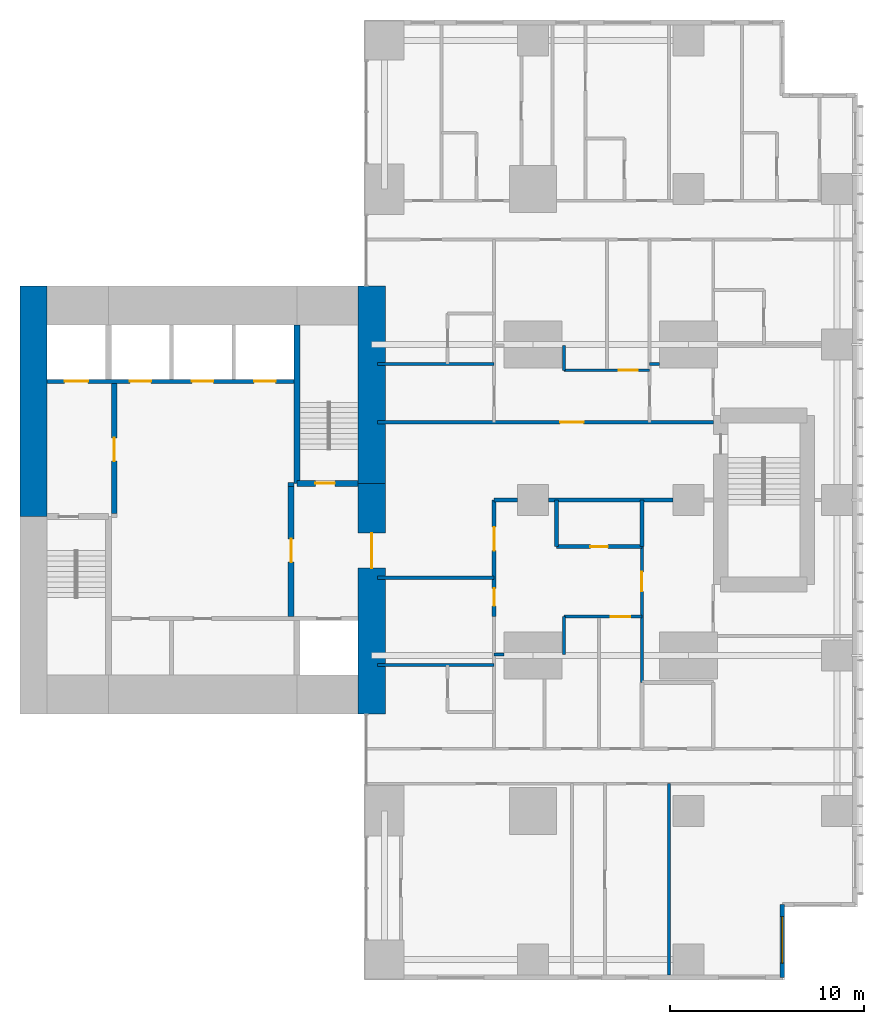
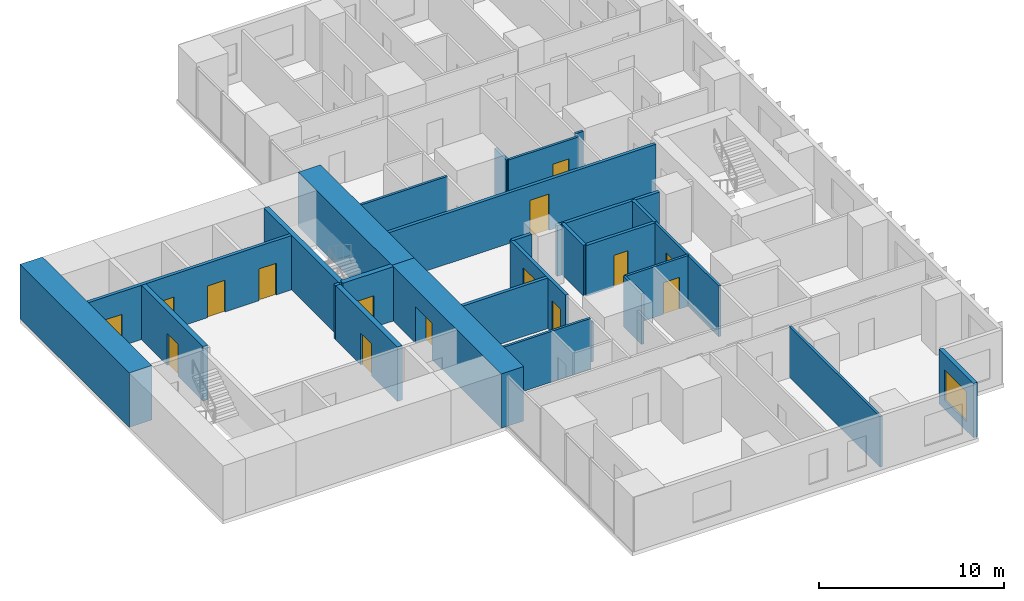
# One storey, part 8 of 12: 28 walls, 15 doors, 1 window, 16 openings.
"""IFC4 building model written with IfcOpenShell, lengths in metres."""

from ifc_helpers import new_model, si_unit, direction, frame, frame_2d, origin, place, context, subcontext, project, spatial, rectangle, extrude, material, layer, layer_set, type_object, element, fill, save


model = new_model("IFC4")

# Units and contexts
model_context = context("Model", 3, precision=1e-05, world=origin(), true_north=direction((0.0, 1.0)))
body_context = subcontext(model_context, "Body", "Model", "MODEL_VIEW")
ifc_project = project(units=[si_unit("LENGTHUNIT", "METRE"), si_unit("AREAUNIT", "SQUARE_METRE"), si_unit("VOLUMEUNIT", "CUBIC_METRE"), si_unit("PLANEANGLEUNIT", "RADIAN"), si_unit("MASSUNIT", "GRAM", prefix="KILO")], contexts=[model_context])

# Site, building, storey
site_placement = place(None, origin())
site = spatial("IfcSite", under=ifc_project, at=site_placement, CompositionType="ELEMENT")
building_placement = place(site_placement, origin())
building = spatial("IfcBuilding", under=site, at=building_placement, Name="Cleftline Residences", CompositionType="ELEMENT")
storey_placement = place(building_placement, frame((0.0, 0.0, 259.199951171875)))
storey = spatial("IfcBuildingStorey", under=building, at=storey_placement, Name="L68", CompositionType="ELEMENT", Elevation=259.199951171875)

# Wall
ifc_material_1 = material(Name="Concrete B70", Category="concrete")
ifc_layer_1 = layer(ifc_material_1, 1.39990234375)
ifc_layer_set_1 = layer_set([ifc_layer_1], Name="CORE WALL 1400")
wall_type_1 = type_object("IfcWallType", Name="CORE WALL 1400", PredefinedType="SHEAR", material=ifc_layer_set_1)
wall_1_placement = place(storey_placement, frame((24.300048828125, 23.14990234375, 0.0), z_axis=(0.0, 0.0, 1.0), x_axis=(0.0, 1.0, 0.0)))
element("IfcWall", 1, at=wall_1_placement, inside=storey, type_object=wall_type_1, Name="Core wall W", PredefinedType="SHEAR", context=body_context, shape_type="SweptSolid", body=[
    extrude(rectangle(XDim=11.85009765625, YDim=1.39990234375, at=frame_2d((5.925048828125, 0.0))), origin(), (0.0, 0.0, 1.0), 3.60009765625),
])

# Wall, opening, door
wall_2_placement = place(storey_placement, frame((41.699951171875, 13.0, 0.0), z_axis=(0.0, 0.0, 1.0), x_axis=(0.0, 1.0, 0.0)))
wall_2 = element("IfcWall", 2, at=wall_2_placement, inside=storey, type_object=wall_type_1, Name="Core wall E", PredefinedType="SHEAR", context=body_context, shape_type="SweptSolid", body=[
    extrude(rectangle(XDim=11.85009765625, YDim=1.39990234375, at=frame_2d((5.925048828125, 0.0))), origin(), (0.0, 0.0, 1.0), 3.60009765625),
])
opening_1_placement = place(wall_2_placement, frame((7.5, 0.0, 0.0)))
opening_1 = element("IfcOpeningElement", 3, at=opening_1_placement, cuts=wall_2, Name="Opening D7", PredefinedType="OPENING", context=body_context, shape_type="SweptSolid", body=[
    extrude(rectangle(XDim=1.800048828125, YDim=2.39990234375, at=frame_2d((0.89990234375, 1.199951171875))), frame((0.0, 0.7099609375, 0.0), z_axis=(0.0, -1.0, 0.0), x_axis=(1.0, 0.0, 0.0)), (0.0, 0.0, 1.0), 1.419921875),
])
ifc_material_2 = material(Name="Steel", Category="steel")
door_type_1 = type_object("IfcDoorType", Name="WING DOOR 1800X2400", OperationType="DOUBLE_DOOR_DOUBLE_SWING", PredefinedType="DOOR", material=ifc_material_2)
door_1_placement = place(opening_1_placement, origin())
door_1 = element("IfcDoor", 4, at=door_1_placement, inside=storey, type_object=door_type_1, Name="East wing door", OperationType="DOUBLE_DOOR_DOUBLE_SWING", OverallHeight=2.39990234375, OverallWidth=1.800048828125, PredefinedType="DOOR", context=body_context, shape_type="SweptSolid", body=[
    extrude(rectangle(XDim=1.800048828125, YDim=2.39990234375, at=frame_2d((0.89990234375, 1.199951171875))), frame((0.0, 0.02490234375, 0.0), z_axis=(0.0, -1.0, 0.0), x_axis=(1.0, 0.0, 0.0)), (0.0, 0.0, 1.0), 0.050048828125),
])
fill(opening_1, door_1)

# Walls
wall_3_placement = place(storey_placement, frame((41.699951171875, 24.85009765625, 0.0), z_axis=(0.0, 0.0, 1.0), x_axis=(0.0, 1.0, 0.0)))
element("IfcWall", 5, at=wall_3_placement, inside=storey, type_object=wall_type_1, Name="Core wall E1", PredefinedType="SHEAR", context=body_context, shape_type="SweptSolid", body=[
    extrude(rectangle(XDim=10.14990234375, YDim=1.39990234375, at=frame_2d((5.074951171875, 0.0))), origin(), (0.0, 0.0, 1.0), 3.60009765625),
])
ifc_material_3 = material(Name="Concrete B70", Category="concrete")
ifc_layer_2 = layer(ifc_material_3, 0.300048828125)
ifc_layer_set_2 = layer_set([ifc_layer_2], Name="CORE WALL 300")
wall_type_2 = type_object("IfcWallType", Name="CORE WALL 300", PredefinedType="SHEAR", material=ifc_layer_set_2)
wall_4_placement = place(storey_placement, frame((37.85009765625, 24.85009765625, 0.0), z_axis=(0.0, 0.0, 1.0), x_axis=(0.0, 1.0, 0.0)))
element("IfcWall", 6, at=wall_4_placement, inside=storey, type_object=wall_type_2, Name="Core wall SB-W", PredefinedType="SHEAR", context=body_context, shape_type="SweptSolid", body=[
    extrude(rectangle(XDim=8.14990234375, YDim=0.300048828125, at=frame_2d((4.074951171875, 0.0))), origin(), (0.0, 0.0, 1.0), 3.60009765625),
])

# Wall, opening, door
wall_5_placement = place(storey_placement, frame((37.85009765625, 24.85009765625, 0.0), z_axis=(0.0, 0.0, 1.0), x_axis=(1.0, 0.0, 0.0)))
wall_5 = element("IfcWall", 7, at=wall_5_placement, inside=storey, type_object=wall_type_2, Name="Core wall SB-S", PredefinedType="SHEAR", context=body_context, shape_type="SweptSolid", body=[
    extrude(rectangle(XDim=3.14990234375, YDim=0.300048828125, at=frame_2d((1.574951171875, 0.0))), origin(), (0.0, 0.0, 1.0), 3.60009765625),
])
opening_2_placement = place(wall_5_placement, frame((0.949951171875, 0.0, 0.0)))
opening_2 = element("IfcOpeningElement", 8, at=opening_2_placement, cuts=wall_5, Name="Opening D5", PredefinedType="OPENING", context=body_context, shape_type="SweptSolid", body=[
    extrude(rectangle(XDim=1.0, YDim=2.10009765625, at=frame_2d((0.5, 1.050048828125))), frame((0.0, 0.159912109375, 0.0), z_axis=(0.0, -1.0, 0.0), x_axis=(1.0, 0.0, 0.0)), (0.0, 0.0, 1.0), 0.320068359375),
])
ifc_material_4 = material(Name="Steel", Category="steel")
door_type_2 = type_object("IfcDoorType", Name="STAIR DOOR 1000X2100", OperationType="SINGLE_SWING_LEFT", PredefinedType="DOOR", material=ifc_material_4)
door_2_placement = place(opening_2_placement, origin())
door_2 = element("IfcDoor", 9, at=door_2_placement, inside=storey, type_object=door_type_2, Name="Stair B door", OperationType="SINGLE_SWING_RIGHT", OverallHeight=2.10009765625, OverallWidth=1.0, PredefinedType="DOOR", context=body_context, shape_type="SweptSolid", body=[
    extrude(rectangle(XDim=1.0, YDim=2.10009765625, at=frame_2d((0.5, 1.050048828125))), frame((0.0, 0.02490234375, 0.0), z_axis=(0.0, -1.0, 0.0), x_axis=(1.0, 0.0, 0.0)), (0.0, 0.0, 1.0), 0.050048828125),
])
fill(opening_2, door_2)

# Wall, opening, window
ifc_material_5 = material(Name="Rendered reinforced concrete blockwork", Category="masonry")
ifc_layer_3 = layer(ifc_material_5, 0.25)
ifc_layer_set_3 = layer_set([ifc_layer_3], Name="EXTERNAL WALL 250")
wall_type_3 = type_object("IfcWallType", Name="EXTERNAL WALL 250", PredefinedType="SOLIDWALL", material=ifc_layer_set_3)
wall_6_placement = place(storey_placement, frame((62.824951171875, -0.574951171875, 0.0), z_axis=(0.0, 0.0, 1.0), x_axis=(0.0, 1.0, 0.0)))
wall_6 = element("IfcWall", 10, at=wall_6_placement, inside=storey, type_object=wall_type_3, Name="External wall", PredefinedType="SOLIDWALL", context=body_context, shape_type="SweptSolid", body=[
    extrude(rectangle(XDim=3.75, YDim=0.25, at=frame_2d((1.875, 0.0))), origin(), (0.0, 0.0, 1.0), 3.60009765625),
])
opening_3_placement = place(wall_6_placement, frame((0.737548828125, 0.0, 0.60009765625)))
opening_3 = element("IfcOpeningElement", 11, at=opening_3_placement, cuts=wall_6, Name="Opening W6", PredefinedType="OPENING", context=body_context, shape_type="SweptSolid", body=[
    extrude(rectangle(XDim=2.39990234375, YDim=2.0, at=frame_2d((1.199951171875, 1.0))), frame((0.0, 0.135009765625, 0.0), z_axis=(0.0, -1.0, 0.0), x_axis=(1.0, 0.0, 0.0)), (0.0, 0.0, 1.0), 0.27001953125),
])
ifc_material_6 = material(Name="Aluminium frame, clear double glazing", Category="aluminium")
window_type = type_object("IfcWindowType", Name="WINDOW 2400X2000", PartitioningType="DOUBLE_PANEL_VERTICAL", PredefinedType="WINDOW", material=ifc_material_6)
window_placement = place(opening_3_placement, origin())
window = element("IfcWindow", 12, at=window_placement, inside=storey, type_object=window_type, Name="Window", OverallHeight=2.0, OverallWidth=2.39990234375, PartitioningType="SINGLE_PANEL", PredefinedType="WINDOW", context=body_context, shape_type="SweptSolid", body=[
    extrude(rectangle(XDim=2.39990234375, YDim=2.0, at=frame_2d((1.199951171875, 1.0))), frame((0.0, 0.030029296875, 0.0), z_axis=(0.0, -1.0, 0.0), x_axis=(1.0, 0.0, 0.0)), (0.0, 0.0, 1.0), 0.06005859375),
])
fill(opening_3, window)

# Wall
ifc_material_7 = material(Name="Concrete blockwork, fire rated", Category="masonry")
ifc_layer_4 = layer(ifc_material_7, 0.199951171875)
ifc_layer_set_4 = layer_set([ifc_layer_4], Name="FIRE WALL 200")
wall_type_4 = type_object("IfcWallType", Name="FIRE WALL 200", PredefinedType="PARTITIONING", material=ifc_layer_set_4)
wall_7_placement = place(storey_placement, frame((42.0, 20.0, 0.0), z_axis=(0.0, 0.0, 1.0), x_axis=(1.0, 0.0, 0.0)))
element("IfcWall", 13, at=wall_7_placement, inside=storey, type_object=wall_type_4, Name="Fire separating wall", PredefinedType="PARTITIONING", context=body_context, shape_type="SweptSolid", body=[
    extrude(rectangle(XDim=6.0, YDim=0.199951171875, at=frame_2d((3.0, 0.0))), origin(), (0.0, 0.0, 1.0), 3.35009765625),
])

# Wall, opening, door
wall_8_placement = place(storey_placement, frame((51.199951171875, 21.60009765625, 0.0), z_axis=(0.0, 0.0, 1.0), x_axis=(1.0, 0.0, 0.0)))
wall_8 = element("IfcWall", 14, at=wall_8_placement, inside=storey, type_object=wall_type_4, Name="Fire separating wall", PredefinedType="PARTITIONING", context=body_context, shape_type="SweptSolid", body=[
    extrude(rectangle(XDim=4.400146484375, YDim=0.199951171875, at=frame_2d((2.2001953125, 0.0))), origin(), (0.0, 0.0, 1.0), 3.35009765625),
])
opening_4_placement = place(wall_8_placement, frame((1.75, 0.0, 0.0)))
opening_4 = element("IfcOpeningElement", 15, at=opening_4_placement, cuts=wall_8, Name="Opening D1F30", PredefinedType="OPENING", context=body_context, shape_type="SweptSolid", body=[
    extrude(rectangle(XDim=0.89990234375, YDim=2.10009765625, at=frame_2d((0.449951171875, 1.050048828125))), frame((0.0, 0.10986328125, 0.0), z_axis=(0.0, -1.0, 0.0), x_axis=(1.0, 0.0, 0.0)), (0.0, 0.0, 1.0), 0.219970703125),
])
ifc_material_8 = material(Name="Timber veneer on solid core", Category="wood")
door_type_3 = type_object("IfcDoorType", Name="DOOR 900X2100 EI 30", OperationType="SINGLE_SWING_LEFT", PredefinedType="DOOR", material=ifc_material_8)
door_3_placement = place(opening_4_placement, origin())
door_3 = element("IfcDoor", 16, at=door_3_placement, inside=storey, type_object=door_type_3, Name="Door to cloakroom wc", OperationType="SINGLE_SWING_LEFT", OverallHeight=2.10009765625, OverallWidth=0.89990234375, PredefinedType="DOOR", context=body_context, shape_type="SweptSolid", body=[
    extrude(rectangle(XDim=0.89990234375, YDim=2.10009765625, at=frame_2d((0.449951171875, 1.050048828125))), frame((0.0, 0.02490234375, 0.0), z_axis=(0.0, -1.0, 0.0), x_axis=(1.0, 0.0, 0.0)), (0.0, 0.0, 1.0), 0.050048828125),
])
fill(opening_4, door_3)

# Walls
wall_9_placement = place(storey_placement, frame((48.0, 24.0, 0.0), z_axis=(0.0, 0.0, 1.0), x_axis=(1.0, 0.0, 0.0)))
element("IfcWall", 17, at=wall_9_placement, inside=storey, type_object=wall_type_4, Name="Fire separating wall", PredefinedType="PARTITIONING", context=body_context, shape_type="SweptSolid", body=[
    extrude(rectangle(XDim=1.199951171875, YDim=0.199951171875, at=frame_2d((0.60009765625, 0.0))), origin(), (0.0, 0.0, 1.0), 3.35009765625),
])
wall_10_placement = place(storey_placement, frame((50.800048828125, 24.0, 0.0), z_axis=(0.0, 0.0, 1.0), x_axis=(1.0, 0.0, 0.0)))
element("IfcWall", 18, at=wall_10_placement, inside=storey, type_object=wall_type_4, Name="Fire separating wall", PredefinedType="PARTITIONING", context=body_context, shape_type="SweptSolid", body=[
    extrude(rectangle(XDim=6.39990234375, YDim=0.199951171875, at=frame_2d((3.199951171875, 0.0))), origin(), (0.0, 0.0, 1.0), 3.35009765625),
])

# Wall, opening, door
wall_11_placement = place(storey_placement, frame((42.0, 28.0, 0.0), z_axis=(0.0, 0.0, 1.0), x_axis=(1.0, 0.0, 0.0)))
wall_11 = element("IfcWall", 19, at=wall_11_placement, inside=storey, type_object=wall_type_4, Name="Fire separating wall", PredefinedType="PARTITIONING", context=body_context, shape_type="SweptSolid", body=[
    extrude(rectangle(XDim=17.27490234375, YDim=0.199951171875, at=frame_2d((8.637451171875, 0.0))), origin(), (0.0, 0.0, 1.0), 3.35009765625),
])
opening_5_placement = place(wall_11_placement, frame((9.39990234375, 0.0, 0.0)))
opening_5 = element("IfcOpeningElement", 20, at=opening_5_placement, cuts=wall_11, Name="Opening D4", PredefinedType="OPENING", context=body_context, shape_type="SweptSolid", body=[
    extrude(rectangle(XDim=1.199951171875, YDim=2.39990234375, at=frame_2d((0.60009765625, 1.199951171875))), frame((0.0, 0.10986328125, 0.0), z_axis=(0.0, -1.0, 0.0), x_axis=(1.0, 0.0, 0.0)), (0.0, 0.0, 1.0), 0.219970703125),
])
ifc_material_9 = material(Name="Timber veneer on solid core", Category="wood")
door_type_4 = type_object("IfcDoorType", Name="APARTMENT ENTRANCE DOOR 1200X2400", OperationType="SINGLE_SWING_RIGHT", PredefinedType="DOOR", material=ifc_material_9)
door_4_placement = place(opening_5_placement, origin())
door_4 = element("IfcDoor", 21, at=door_4_placement, inside=storey, type_object=door_type_4, Name="Door to residence entrance (gallery)", OperationType="SINGLE_SWING_LEFT", OverallHeight=2.39990234375, OverallWidth=1.199951171875, PredefinedType="DOOR", context=body_context, shape_type="SweptSolid", body=[
    extrude(rectangle(XDim=1.199951171875, YDim=2.39990234375, at=frame_2d((0.60009765625, 1.199951171875))), frame((0.0, 0.02490234375, 0.0), z_axis=(0.0, -1.0, 0.0), x_axis=(1.0, 0.0, 0.0)), (0.0, 0.0, 1.0), 0.050048828125),
])
fill(opening_5, door_4)

# Wall, openings, doors
wall_12_placement = place(storey_placement, frame((48.0, 18.0, 0.0), z_axis=(0.0, 0.0, 1.0), x_axis=(0.0, 1.0, 0.0)))
wall_12 = element("IfcWall", 22, at=wall_12_placement, inside=storey, type_object=wall_type_4, Name="Fire separating wall", PredefinedType="PARTITIONING", context=body_context, shape_type="SweptSolid", body=[
    extrude(rectangle(XDim=6.0, YDim=0.199951171875, at=frame_2d((3.0, 0.0))), origin(), (0.0, 0.0, 1.0), 3.35009765625),
])
opening_6_placement = place(wall_12_placement, frame((3.39990234375, 0.0, 0.0)))
opening_6 = element("IfcOpeningElement", 23, at=opening_6_placement, cuts=wall_12, Name="Opening D4", PredefinedType="OPENING", context=body_context, shape_type="SweptSolid", body=[
    extrude(rectangle(XDim=1.199951171875, YDim=2.39990234375, at=frame_2d((0.60009765625, 1.199951171875))), frame((0.0, 0.10986328125, 0.0), z_axis=(0.0, -1.0, 0.0), x_axis=(1.0, 0.0, 0.0)), (0.0, 0.0, 1.0), 0.219970703125),
])
opening_7_placement = place(wall_12_placement, frame((0.550048828125, 0.0, 0.0)))
opening_7 = element("IfcOpeningElement", 24, at=opening_7_placement, cuts=wall_12, Name="Opening D1F30", PredefinedType="OPENING", context=body_context, shape_type="SweptSolid", body=[
    extrude(rectangle(XDim=0.89990234375, YDim=2.10009765625, at=frame_2d((0.449951171875, 1.050048828125))), frame((0.0, 0.10986328125, 0.0), z_axis=(0.0, -1.0, 0.0), x_axis=(1.0, 0.0, 0.0)), (0.0, 0.0, 1.0), 0.219970703125),
])
door_5_placement = place(opening_6_placement, origin())
door_5 = element("IfcDoor", 25, at=door_5_placement, inside=storey, type_object=door_type_4, Name="Door to residence entrance foyer", OperationType="SINGLE_SWING_LEFT", OverallHeight=2.39990234375, OverallWidth=1.199951171875, PredefinedType="DOOR", context=body_context, shape_type="SweptSolid", body=[
    extrude(rectangle(XDim=1.199951171875, YDim=2.39990234375, at=frame_2d((0.60009765625, 1.199951171875))), frame((0.0, 0.02490234375, 0.0), z_axis=(0.0, -1.0, 0.0), x_axis=(1.0, 0.0, 0.0)), (0.0, 0.0, 1.0), 0.050048828125),
])
fill(opening_6, door_5)
door_6_placement = place(opening_7_placement, origin())
door_6 = element("IfcDoor", 26, at=door_6_placement, inside=storey, type_object=door_type_3, Name="Door to drying loggia", OperationType="SINGLE_SWING_RIGHT", OverallHeight=2.10009765625, OverallWidth=0.89990234375, PredefinedType="DOOR", context=body_context, shape_type="SweptSolid", body=[
    extrude(rectangle(XDim=0.89990234375, YDim=2.10009765625, at=frame_2d((0.449951171875, 1.050048828125))), frame((0.0, 0.02490234375, 0.0), z_axis=(0.0, -1.0, 0.0), x_axis=(1.0, 0.0, 0.0)), (0.0, 0.0, 1.0), 0.050048828125),
])
fill(opening_7, door_6)

# Walls
for number, where, z_axis, x_axis, name in (
    (27, (51.199951171875, 21.60009765625, 0.0), (0.0, 0.0, 1.0), (0.0, 1.0, 0.0), "Fire separating wall"),
    (28, (55.60009765625, 21.60009765625, 0.0), (0.0, 0.0, 1.0), (0.0, 1.0, 0.0), "Fire separating wall"),
):
    element("IfcWall", number, at=place(storey_placement, frame(where, z_axis=z_axis, x_axis=x_axis)), inside=storey, type_object=wall_type_4, Name=name, PredefinedType="PARTITIONING", context=body_context, shape_type="SweptSolid", body=[
        extrude(rectangle(XDim=2.39990234375, YDim=0.199951171875, at=frame_2d((1.199951171875, 0.0))), origin(), (0.0, 0.0, 1.0), 3.35009765625),
    ])
wall_13_placement = place(storey_placement, frame((37.39990234375, 24.800048828125, 0.0), z_axis=(0.0, 0.0, 1.0), x_axis=(1.0, 0.0, 0.0)))
element("IfcWall", 29, at=wall_13_placement, inside=storey, type_object=wall_type_4, Name="Fire separating wall", PredefinedType="PARTITIONING", context=body_context, shape_type="SweptSolid", body=[
    extrude(rectangle(XDim=0.300048828125, YDim=0.199951171875, at=frame_2d((0.14990234375, 0.0))), origin(), (0.0, 0.0, 1.0), 3.60009765625),
])
ifc_material_10 = material(Name="Gypsum board on steel studs", Category="steel")
ifc_layer_5 = layer(ifc_material_10, 0.14990234375)
ifc_layer_set_5 = layer_set([ifc_layer_5], Name="PARTITION 150")
wall_type_5 = type_object("IfcWallType", Name="PARTITION 150", PredefinedType="PARTITIONING", material=ifc_layer_set_5)
wall_14_placement = place(storey_placement, frame((42.0, 15.5, 0.0), z_axis=(0.0, 0.0, 1.0), x_axis=(1.0, 0.0, 0.0)))
element("IfcWall", 30, at=wall_14_placement, inside=storey, type_object=wall_type_5, Name="Partition", PredefinedType="PARTITIONING", context=body_context, shape_type="SweptSolid", body=[
    extrude(rectangle(XDim=6.0, YDim=0.14990234375, at=frame_2d((3.0, 0.0))), origin(), (0.0, 0.0, 1.0), 3.35009765625),
])
wall_15_placement = place(storey_placement, frame((48.0, 16.050048828125, 0.0), z_axis=(0.0, 0.0, 1.0), x_axis=(1.0, 0.0, 0.0)))
element("IfcWall", 31, at=wall_15_placement, inside=storey, type_object=wall_type_5, Name="Partition", PredefinedType="PARTITIONING", context=body_context, shape_type="SweptSolid", body=[
    extrude(rectangle(XDim=0.5, YDim=0.14990234375, at=frame_2d((0.25, 0.0))), origin(), (0.0, 0.0, 1.0), 2.634033203125),
])

# Wall, opening, door
wall_16_placement = place(storey_placement, frame((51.60009765625, 18.0, 0.0), z_axis=(0.0, 0.0, 1.0), x_axis=(1.0, 0.0, 0.0)))
wall_16 = element("IfcWall", 32, at=wall_16_placement, inside=storey, type_object=wall_type_5, Name="Partition", PredefinedType="PARTITIONING", context=body_context, shape_type="SweptSolid", body=[
    extrude(rectangle(XDim=4.0, YDim=0.14990234375, at=frame_2d((2.0, 0.0))), origin(), (0.0, 0.0, 1.0), 3.35009765625),
])
opening_8_placement = place(wall_16_placement, frame((2.39990234375, 0.0, 0.0)))
opening_8 = element("IfcOpeningElement", 33, at=opening_8_placement, cuts=wall_16, Name="Opening D2", PredefinedType="OPENING", context=body_context, shape_type="SweptSolid", body=[
    extrude(rectangle(XDim=1.0, YDim=2.10009765625, at=frame_2d((0.5, 1.050048828125))), frame((0.0, 0.0849609375, 0.0), z_axis=(0.0, -1.0, 0.0), x_axis=(1.0, 0.0, 0.0)), (0.0, 0.0, 1.0), 0.169921875),
])
ifc_material_11 = material(Name="Timber veneer on solid core", Category="wood")
door_type_5 = type_object("IfcDoorType", Name="DOOR 1000X2100", OperationType="SINGLE_SWING_LEFT", PredefinedType="DOOR", material=ifc_material_11)
door_7_placement = place(opening_8_placement, origin())
door_7 = element("IfcDoor", 34, at=door_7_placement, inside=storey, type_object=door_type_5, Name="Door to residence passage", OperationType="SINGLE_SWING_LEFT", OverallHeight=2.10009765625, OverallWidth=1.0, PredefinedType="DOOR", context=body_context, shape_type="SweptSolid", body=[
    extrude(rectangle(XDim=1.0, YDim=2.10009765625, at=frame_2d((0.5, 1.050048828125))), frame((0.0, 0.02490234375, 0.0), z_axis=(0.0, -1.0, 0.0), x_axis=(1.0, 0.0, 0.0)), (0.0, 0.0, 1.0), 0.050048828125),
])
fill(opening_8, door_7)

wall_17_placement = place(storey_placement, frame((51.60009765625, 30.675048828125, 0.0), z_axis=(0.0, 0.0, 1.0), x_axis=(1.0, 0.0, 0.0)))
wall_17 = element("IfcWall", 35, at=wall_17_placement, inside=storey, type_object=wall_type_5, Name="Partition", PredefinedType="PARTITIONING", context=body_context, shape_type="SweptSolid", body=[
    extrude(rectangle(XDim=4.39990234375, YDim=0.14990234375, at=frame_2d((2.199951171875, 0.0))), origin(), (0.0, 0.0, 1.0), 3.35009765625),
])
opening_9_placement = place(wall_17_placement, frame((2.800048828125, 0.0, 0.0)))
opening_9 = element("IfcOpeningElement", 36, at=opening_9_placement, cuts=wall_17, Name="Opening D2", PredefinedType="OPENING", context=body_context, shape_type="SweptSolid", body=[
    extrude(rectangle(XDim=1.0, YDim=2.10009765625, at=frame_2d((0.5, 1.050048828125))), frame((0.0, 0.0849609375, 0.0), z_axis=(0.0, -1.0, 0.0), x_axis=(1.0, 0.0, 0.0)), (0.0, 0.0, 1.0), 0.169921875),
])
door_8_placement = place(opening_9_placement, origin())
door_8 = element("IfcDoor", 37, at=door_8_placement, inside=storey, type_object=door_type_5, Name="Door to residence passage", OperationType="SINGLE_SWING_LEFT", OverallHeight=2.10009765625, OverallWidth=1.0, PredefinedType="DOOR", context=body_context, shape_type="SweptSolid", body=[
    extrude(rectangle(XDim=1.0, YDim=2.10009765625, at=frame_2d((0.5, 1.050048828125))), frame((0.0, 0.02490234375, 0.0), z_axis=(0.0, -1.0, 0.0), x_axis=(1.0, 0.0, 0.0)), (0.0, 0.0, 1.0), 0.050048828125),
])
fill(opening_9, door_8)

# Walls
wall_18_placement = place(storey_placement, frame((42.0, 31.0, 0.0), z_axis=(0.0, 0.0, 1.0), x_axis=(1.0, 0.0, 0.0)))
element("IfcWall", 38, at=wall_18_placement, inside=storey, type_object=wall_type_5, Name="Partition", PredefinedType="PARTITIONING", context=body_context, shape_type="SweptSolid", body=[
    extrude(rectangle(XDim=6.0, YDim=0.14990234375, at=frame_2d((3.0, 0.0))), origin(), (0.0, 0.0, 1.0), 3.35009765625),
])
wall_19_placement = place(storey_placement, frame((56.0, 31.0, 0.0), z_axis=(0.0, 0.0, 1.0), x_axis=(1.0, 0.0, 0.0)))
element("IfcWall", 39, at=wall_19_placement, inside=storey, type_object=wall_type_5, Name="Partition", PredefinedType="PARTITIONING", context=body_context, shape_type="SweptSolid", body=[
    extrude(rectangle(XDim=0.5, YDim=0.14990234375, at=frame_2d((0.25, 0.0))), origin(), (0.0, 0.0, 1.0), 3.35009765625),
])
wall_20_placement = place(storey_placement, frame((51.60009765625, 16.050048828125, 0.0), z_axis=(0.0, 0.0, 1.0), x_axis=(0.0, 1.0, 0.0)))
element("IfcWall", 40, at=wall_20_placement, inside=storey, type_object=wall_type_5, Name="Partition", PredefinedType="PARTITIONING", context=body_context, shape_type="SweptSolid", body=[
    extrude(rectangle(XDim=1.949951171875, YDim=0.14990234375, at=frame_2d((0.97509765625, 0.0))), origin(), (0.0, 0.0, 1.0), 3.35009765625),
])
wall_21_placement = place(storey_placement, frame((51.60009765625, 30.675048828125, 0.0), z_axis=(0.0, 0.0, 1.0), x_axis=(0.0, 1.0, 0.0)))
element("IfcWall", 41, at=wall_21_placement, inside=storey, type_object=wall_type_5, Name="Partition", PredefinedType="PARTITIONING", context=body_context, shape_type="SweptSolid", body=[
    extrude(rectangle(XDim=1.27490234375, YDim=0.14990234375, at=frame_2d((0.637451171875, 0.0))), origin(), (0.0, 0.0, 1.0), 3.35009765625),
])

# Wall, opening, door
wall_22_placement = place(storey_placement, frame((55.60009765625, 14.60009765625, 0.0), z_axis=(0.0, 0.0, 1.0), x_axis=(0.0, 1.0, 0.0)))
wall_22 = element("IfcWall", 42, at=wall_22_placement, inside=storey, type_object=wall_type_5, Name="Partition", PredefinedType="PARTITIONING", context=body_context, shape_type="SweptSolid", body=[
    extrude(rectangle(XDim=7.0, YDim=0.14990234375, at=frame_2d((3.5, 0.0))), origin(), (0.0, 0.0, 1.0), 3.35009765625),
])
opening_10_placement = place(wall_22_placement, frame((4.699951171875, 0.0, 0.0)))
opening_10 = element("IfcOpeningElement", 43, at=opening_10_placement, cuts=wall_22, Name="Opening D2F30", PredefinedType="OPENING", context=body_context, shape_type="SweptSolid", body=[
    extrude(rectangle(XDim=1.0, YDim=2.10009765625, at=frame_2d((0.5, 1.050048828125))), frame((0.0, 0.0849609375, 0.0), z_axis=(0.0, -1.0, 0.0), x_axis=(1.0, 0.0, 0.0)), (0.0, 0.0, 1.0), 0.169921875),
])
ifc_material_12 = material(Name="Timber veneer on solid core", Category="wood")
door_type_6 = type_object("IfcDoorType", Name="DOOR 1000X2100 EI 30", OperationType="SINGLE_SWING_LEFT", PredefinedType="DOOR", material=ifc_material_12)
door_9_placement = place(opening_10_placement, origin())
door_9 = element("IfcDoor", 44, at=door_9_placement, inside=storey, type_object=door_type_6, Name="Door to residence lobby", OperationType="SINGLE_SWING_LEFT", OverallHeight=2.10009765625, OverallWidth=1.0, PredefinedType="DOOR", context=body_context, shape_type="SweptSolid", body=[
    extrude(rectangle(XDim=1.0, YDim=2.10009765625, at=frame_2d((0.5, 1.050048828125))), frame((0.0, 0.02490234375, 0.0), z_axis=(0.0, -1.0, 0.0), x_axis=(1.0, 0.0, 0.0)), (0.0, 0.0, 1.0), 0.050048828125),
])
fill(opening_10, door_9)

# Wall
wall_23_placement = place(storey_placement, frame((57.0, -0.449951171875, 0.0), z_axis=(0.0, 0.0, 1.0), x_axis=(0.0, 1.0, 0.0)))
element("IfcWall", 45, at=wall_23_placement, inside=storey, type_object=wall_type_5, Name="Partition", PredefinedType="PARTITIONING", context=body_context, shape_type="SweptSolid", body=[
    extrude(rectangle(XDim=9.849853515625, YDim=0.14990234375, at=frame_2d((4.9248046875, 0.0))), origin(), (0.0, 0.0, 1.0), 3.35009765625),
])

# Wall, openings, doors
ifc_material_13 = material(Name="Concrete blockwork, fire rated", Category="masonry")
ifc_layer_6 = layer(ifc_material_13, 0.199951171875)
ifc_layer_set_6 = layer_set([ifc_layer_6], Name="SHAFT WALL 200")
wall_type_6 = type_object("IfcWallType", Name="SHAFT WALL 200", PredefinedType="PARTITIONING", material=ifc_layer_set_6)
wall_24_placement = place(storey_placement, frame((25.0, 30.10009765625, 0.0), z_axis=(0.0, 0.0, 1.0), x_axis=(1.0, 0.0, 0.0)))
wall_24 = element("IfcWall", 46, at=wall_24_placement, inside=storey, type_object=wall_type_6, Name="Lift shaft wall", PredefinedType="PARTITIONING", context=body_context, shape_type="SweptSolid", body=[
    extrude(rectangle(XDim=12.699951171875, YDim=0.199951171875, at=frame_2d((6.35009765625, 0.0))), origin(), (0.0, 0.0, 1.0), 3.60009765625),
])
opening_11_placement = place(wall_24_placement, frame((4.25, 0.0, 0.0)))
opening_11 = element("IfcOpeningElement", 47, at=opening_11_placement, cuts=wall_24, Name="Opening LD1", PredefinedType="OPENING", context=body_context, shape_type="SweptSolid", body=[
    extrude(rectangle(XDim=1.10009765625, YDim=2.10009765625, at=frame_2d((0.550048828125, 1.050048828125))), frame((0.0, 0.10986328125, 0.0), z_axis=(0.0, -1.0, 0.0), x_axis=(1.0, 0.0, 0.0)), (0.0, 0.0, 1.0), 0.219970703125),
])
opening_12_placement = place(wall_24_placement, frame((7.449951171875, 0.0, 0.0)))
opening_12 = element("IfcOpeningElement", 48, at=opening_12_placement, cuts=wall_24, Name="Opening LD1", PredefinedType="OPENING", context=body_context, shape_type="SweptSolid", body=[
    extrude(rectangle(XDim=1.10009765625, YDim=2.10009765625, at=frame_2d((0.550048828125, 1.050048828125))), frame((0.0, 0.10986328125, 0.0), z_axis=(0.0, -1.0, 0.0), x_axis=(1.0, 0.0, 0.0)), (0.0, 0.0, 1.0), 0.219970703125),
])
opening_13_placement = place(wall_24_placement, frame((10.64990234375, 0.0, 0.0)))
opening_13 = element("IfcOpeningElement", 49, at=opening_13_placement, cuts=wall_24, Name="Opening LD1", PredefinedType="OPENING", context=body_context, shape_type="SweptSolid", body=[
    extrude(rectangle(XDim=1.10009765625, YDim=2.10009765625, at=frame_2d((0.550048828125, 1.050048828125))), frame((0.0, 0.10986328125, 0.0), z_axis=(0.0, -1.0, 0.0), x_axis=(1.0, 0.0, 0.0)), (0.0, 0.0, 1.0), 0.219970703125),
])
opening_14_placement = place(wall_24_placement, frame((0.89990234375, 0.0, 0.0)))
opening_14 = element("IfcOpeningElement", 50, at=opening_14_placement, cuts=wall_24, Name="Opening LD2", PredefinedType="OPENING", context=body_context, shape_type="SweptSolid", body=[
    extrude(rectangle(XDim=1.199951171875, YDim=2.10009765625, at=frame_2d((0.60009765625, 1.050048828125))), frame((0.0, 0.10986328125, 0.0), z_axis=(0.0, -1.0, 0.0), x_axis=(1.0, 0.0, 0.0)), (0.0, 0.0, 1.0), 0.219970703125),
])
ifc_material_14 = material(Name="Steel", Category="steel")
door_type_7 = type_object("IfcDoorType", Name="FIREFIGHTING LIFT LANDING DOOR 1200X2100", OperationType="SLIDING_TO_LEFT", PredefinedType="DOOR", material=ifc_material_14)
door_10_placement = place(opening_14_placement, origin())
door_10 = element("IfcDoor", 51, at=door_10_placement, inside=storey, type_object=door_type_7, Name="Lift FL1 landing door", OperationType="SLIDING_TO_LEFT", OverallHeight=2.10009765625, OverallWidth=1.199951171875, PredefinedType="DOOR", context=body_context, shape_type="SweptSolid", body=[
    extrude(rectangle(XDim=1.199951171875, YDim=2.10009765625, at=frame_2d((0.60009765625, 1.050048828125))), frame((0.0, 0.02490234375, 0.0), z_axis=(0.0, -1.0, 0.0), x_axis=(1.0, 0.0, 0.0)), (0.0, 0.0, 1.0), 0.050048828125),
])
fill(opening_14, door_10)
ifc_material_15 = material(Name="Steel", Category="steel")
door_type_8 = type_object("IfcDoorType", Name="LIFT LANDING DOOR 1100X2100", OperationType="SLIDING_TO_LEFT", PredefinedType="DOOR", material=ifc_material_15)
door_11_placement = place(opening_11_placement, origin())
door_11 = element("IfcDoor", 52, at=door_11_placement, inside=storey, type_object=door_type_8, Name="Lift P4 landing door", OperationType="SLIDING_TO_LEFT", OverallHeight=2.10009765625, OverallWidth=1.10009765625, PredefinedType="DOOR", context=body_context, shape_type="SweptSolid", body=[
    extrude(rectangle(XDim=1.10009765625, YDim=2.10009765625, at=frame_2d((0.550048828125, 1.050048828125))), frame((0.0, 0.02490234375, 0.0), z_axis=(0.0, -1.0, 0.0), x_axis=(1.0, 0.0, 0.0)), (0.0, 0.0, 1.0), 0.050048828125),
])
fill(opening_11, door_11)
door_12_placement = place(opening_12_placement, origin())
door_12 = element("IfcDoor", 53, at=door_12_placement, inside=storey, type_object=door_type_8, Name="Lift P5 landing door", OperationType="SLIDING_TO_LEFT", OverallHeight=2.10009765625, OverallWidth=1.10009765625, PredefinedType="DOOR", context=body_context, shape_type="SweptSolid", body=[
    extrude(rectangle(XDim=1.10009765625, YDim=2.10009765625, at=frame_2d((0.550048828125, 1.050048828125))), frame((0.0, 0.02490234375, 0.0), z_axis=(0.0, -1.0, 0.0), x_axis=(1.0, 0.0, 0.0)), (0.0, 0.0, 1.0), 0.050048828125),
])
fill(opening_12, door_12)
door_13_placement = place(opening_13_placement, origin())
door_13 = element("IfcDoor", 54, at=door_13_placement, inside=storey, type_object=door_type_8, Name="Lift P6 landing door", OperationType="SLIDING_TO_LEFT", OverallHeight=2.10009765625, OverallWidth=1.10009765625, PredefinedType="DOOR", context=body_context, shape_type="SweptSolid", body=[
    extrude(rectangle(XDim=1.10009765625, YDim=2.10009765625, at=frame_2d((0.550048828125, 1.050048828125))), frame((0.0, 0.02490234375, 0.0), z_axis=(0.0, -1.0, 0.0), x_axis=(1.0, 0.0, 0.0)), (0.0, 0.0, 1.0), 0.050048828125),
])
fill(opening_13, door_13)

# Wall, opening, door
ifc_material_16 = material(Name="Concrete blockwork, fire rated", Category="masonry")
ifc_layer_7 = layer(ifc_material_16, 0.300048828125)
ifc_layer_set_7 = layer_set([ifc_layer_7], Name="STAIR LOBBY WALL 300")
wall_type_7 = type_object("IfcWallType", Name="STAIR LOBBY WALL 300", PredefinedType="PARTITIONING", material=ifc_layer_set_7)
wall_25_placement = place(storey_placement, frame((28.449951171875, 23.300048828125, 0.0), z_axis=(0.0, 0.0, 1.0), x_axis=(0.0, 1.0, 0.0)))
wall_25 = element("IfcWall", 55, at=wall_25_placement, inside=storey, type_object=wall_type_7, Name="Stair and lobby wall FA-E", PredefinedType="PARTITIONING", context=body_context, shape_type="SweptSolid", body=[
    extrude(rectangle(XDim=6.699951171875, YDim=0.300048828125, at=frame_2d((3.35009765625, 0.0))), origin(), (0.0, 0.0, 1.0), 3.60009765625),
])
opening_15_placement = place(wall_25_placement, frame((2.699951171875, 0.0, 0.0)))
opening_15 = element("IfcOpeningElement", 56, at=opening_15_placement, cuts=wall_25, Name="Opening D6", PredefinedType="OPENING", context=body_context, shape_type="SweptSolid", body=[
    extrude(rectangle(XDim=1.199951171875, YDim=2.10009765625, at=frame_2d((0.60009765625, 1.050048828125))), frame((0.0, 0.159912109375, 0.0), z_axis=(0.0, -1.0, 0.0), x_axis=(1.0, 0.0, 0.0)), (0.0, 0.0, 1.0), 0.320068359375),
])
ifc_material_17 = material(Name="Steel", Category="steel")
door_type_9 = type_object("IfcDoorType", Name="LOBBY DOOR 1200X2100", OperationType="SINGLE_SWING_RIGHT", PredefinedType="DOOR", material=ifc_material_17)
door_14_placement = place(opening_15_placement, origin())
door_14 = element("IfcDoor", 57, at=door_14_placement, inside=storey, type_object=door_type_9, Name="Firefighting lobby A door", OperationType="SINGLE_SWING_RIGHT", OverallHeight=2.10009765625, OverallWidth=1.199951171875, PredefinedType="DOOR", context=body_context, shape_type="SweptSolid", body=[
    extrude(rectangle(XDim=1.199951171875, YDim=2.10009765625, at=frame_2d((0.60009765625, 1.050048828125))), frame((0.0, 0.02490234375, 0.0), z_axis=(0.0, -1.0, 0.0), x_axis=(1.0, 0.0, 0.0)), (0.0, 0.0, 1.0), 0.050048828125),
])
fill(opening_15, door_14)

wall_26_placement = place(storey_placement, frame((37.550048828125, 18.0, 0.0), z_axis=(0.0, 0.0, 1.0), x_axis=(0.0, 1.0, 0.0)))
wall_26 = element("IfcWall", 58, at=wall_26_placement, inside=storey, type_object=wall_type_7, Name="Stair and lobby wall FB-W", PredefinedType="PARTITIONING", context=body_context, shape_type="SweptSolid", body=[
    extrude(rectangle(XDim=6.699951171875, YDim=0.300048828125, at=frame_2d((3.35009765625, 0.0))), origin(), (0.0, 0.0, 1.0), 3.60009765625),
])
opening_16_placement = place(wall_26_placement, frame((2.800048828125, 0.0, 0.0)))
opening_16 = element("IfcOpeningElement", 59, at=opening_16_placement, cuts=wall_26, Name="Opening D6", PredefinedType="OPENING", context=body_context, shape_type="SweptSolid", body=[
    extrude(rectangle(XDim=1.199951171875, YDim=2.10009765625, at=frame_2d((0.60009765625, 1.050048828125))), frame((0.0, 0.159912109375, 0.0), z_axis=(0.0, -1.0, 0.0), x_axis=(1.0, 0.0, 0.0)), (0.0, 0.0, 1.0), 0.320068359375),
])
door_15_placement = place(opening_16_placement, origin())
door_15 = element("IfcDoor", 60, at=door_15_placement, inside=storey, type_object=door_type_9, Name="Firefighting lobby B door", OperationType="SINGLE_SWING_LEFT", OverallHeight=2.10009765625, OverallWidth=1.199951171875, PredefinedType="DOOR", context=body_context, shape_type="SweptSolid", body=[
    extrude(rectangle(XDim=1.199951171875, YDim=2.10009765625, at=frame_2d((0.60009765625, 1.050048828125))), frame((0.0, 0.02490234375, 0.0), z_axis=(0.0, -1.0, 0.0), x_axis=(1.0, 0.0, 0.0)), (0.0, 0.0, 1.0), 0.050048828125),
])
fill(opening_16, door_15)

save(model, "model.ifc")
